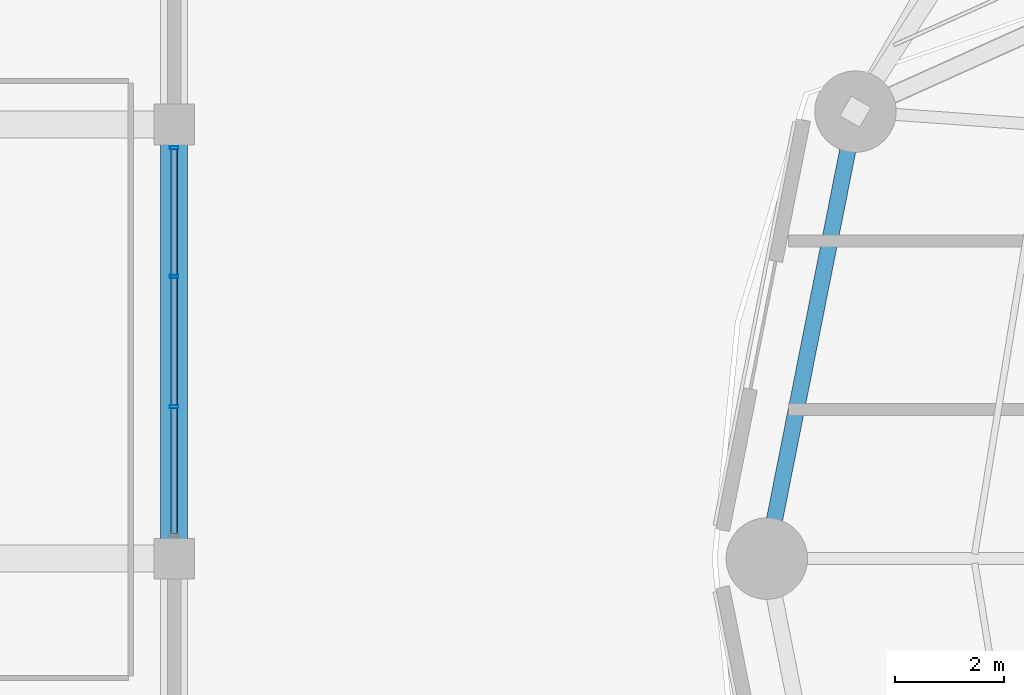
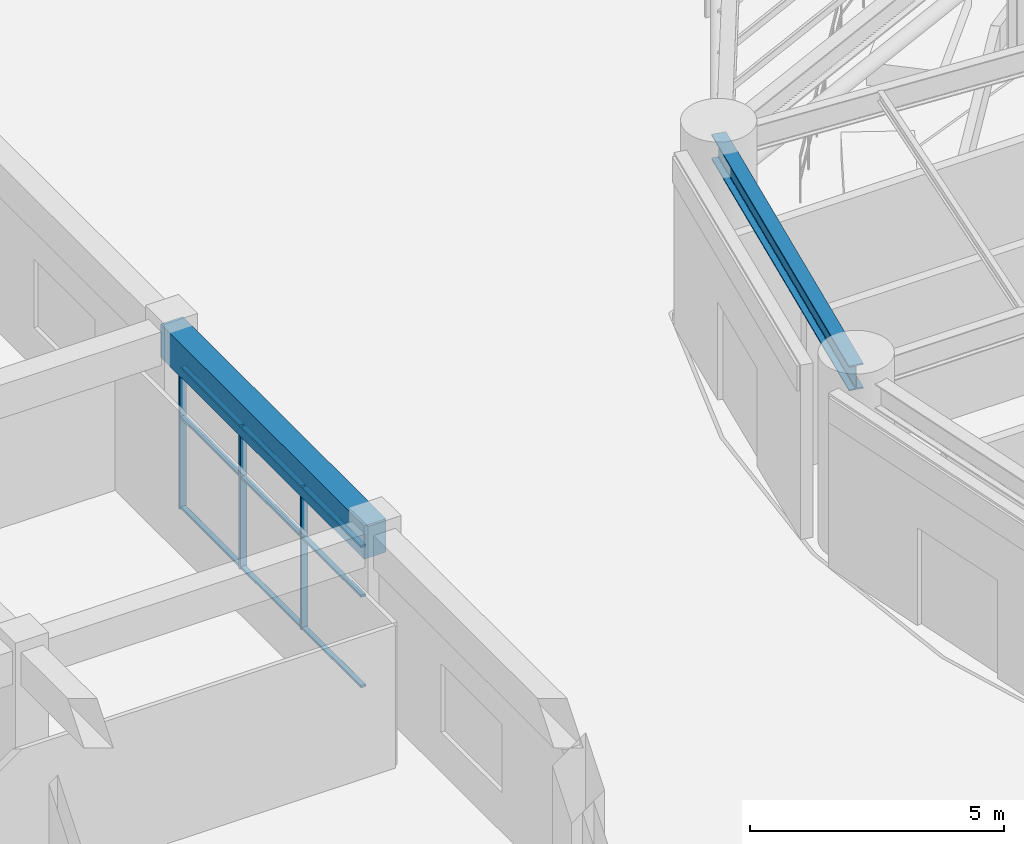
# One storey, part 14 of 40: 12 members, 2 beams, 1 element without a shape of its own.
"""IFC4 building model written with IfcOpenShell, lengths in metres."""

from ifc_helpers import new_model, si_unit, direction, frame, origin, origin_2d, place, context, subcontext, project, spatial, rectangle, hollow_rectangle, i_section, extrude, material, layer, layer_set, material_profile, profile_set, type_object, element, aggregate, save


model = new_model("IFC4")

# Units and contexts
model_context = context("Model", 3, precision=1e-05, world=origin(), true_north=direction((0.0, 1.0)))
body_context = subcontext(model_context, "Body", "Model", "MODEL_VIEW")
ifc_project = project(units=[si_unit("LENGTHUNIT", "METRE"), si_unit("AREAUNIT", "SQUARE_METRE"), si_unit("VOLUMEUNIT", "CUBIC_METRE"), si_unit("PLANEANGLEUNIT", "RADIAN"), si_unit("MASSUNIT", "GRAM", prefix="KILO")], contexts=[model_context])

# Site, building, storey
site_placement = place(None, origin())
site = spatial("IfcSite", under=ifc_project, at=site_placement, CompositionType="ELEMENT")
building_placement = place(site_placement, origin())
building = spatial("IfcBuilding", under=site, at=building_placement, Name="Kelanora Arch Commons", CompositionType="ELEMENT")
storey_placement = place(building_placement, origin())
storey = spatial("IfcBuildingStorey", under=building, at=storey_placement, Name="L00", CompositionType="ELEMENT", Elevation=0.0)

# Beams
ifc_material_1 = material(Name="Concrete C40/50", Category="concrete")
ifc_material_profile_1 = material_profile(ifc_material_1, rectangle(XDim=0.5, YDim=0.800048828125, at=origin_2d()), Name="RCB500x800")
ifc_profile_set_1 = profile_set([ifc_material_profile_1], Name="Concrete C40/50")
beam_type_1 = type_object("IfcBeamType", Name="BM-MKT-RC1", PredefinedType="BEAM", material=ifc_profile_set_1)
beam_1_placement = place(storey_placement, frame((36.0, 58.0, 3.840087890625), z_axis=(0.0, 1.0, 0.0), x_axis=(-1.0, 0.0, 0.0)))
element("IfcBeam", 1, at=beam_1_placement, inside=storey, type_object=beam_type_1, Name="Market/Basement Frame Beam 091 L00", PredefinedType="BEAM", context=body_context, shape_type="SweptSolid", body=[
    extrude(rectangle(XDim=0.5, YDim=0.800048828125, at=origin_2d()), origin(), (0.0, 0.0, 1.0), 8.0),
])
ifc_material_2 = material(Name="Steel S355", Category="steel")
ifc_material_profile_2 = material_profile(ifc_material_2, i_section(OverallWidth=0.300048828125, OverallDepth=0.60009765625, WebThickness=0.015380859375, FlangeThickness=0.030029296875, FilletRadius=0.027099609375, at=origin_2d()), Name="HEB600")
ifc_profile_set_2 = profile_set([ifc_material_profile_2], Name="Steel S355")
beam_type_2 = type_object("IfcBeamType", Name="BM-SPN-Z1", PredefinedType="SPANDREL", material=ifc_profile_set_2)
beam_2_placement = place(storey_placement, frame((48.552978515625, 66.23583984375, 3.89990234375), z_axis=(-0.194499827256, -0.980902552345, 0.0), x_axis=(0.980902552345, -0.194499827256, 0.0)))
element("IfcBeam", 2, at=beam_2_placement, inside=storey, type_object=beam_type_2, Name="Perimeter Spandrel Beam BS-16 L00", PredefinedType="SPANDREL", context=body_context, shape_type="SweptSolid", body=[
    extrude(i_section(OverallWidth=0.300048828125, OverallDepth=0.60009765625, WebThickness=0.015380859375, FlangeThickness=0.030029296875, FilletRadius=0.027099609375, at=origin_2d()), origin(), (0.0, 0.0, 1.0), 8.396240234375),
])

# Curtain wall, members
ifc_material_3 = material(Name="Terracotta ceramic-fritted low-E glass and aluminium", Category="masonry")
ifc_layer = layer(ifc_material_3, 0.16796875)
ifc_layer_set = layer_set([ifc_layer], Name="Terracotta ceramic-fritted low-E glass and aluminium")
curtain_wall_type = type_object("IfcCurtainWallType", Name="CW-SYS-07", PredefinedType="NOTDEFINED", material=ifc_layer_set)
curtain_wall_placement = place(storey_placement, origin())
curtain_wall = element("IfcCurtainWall", 3, at=curtain_wall_placement, inside=storey, type_object=curtain_wall_type, Name="Market Hall Arcade Curtain Wall L00-27", PredefinedType="NOTDEFINED")
ifc_material_4 = material(Name="Powder-coated aluminium terracotta", Category="masonry")
ifc_material_profile_3 = material_profile(ifc_material_4, hollow_rectangle(XDim=0.159912109375, YDim=0.06005859375, WallThickness=0.0048828125, InnerFilletRadius=0.0048828125, OuterFilletRadius=0.010009765625, at=origin_2d()), Name="CWM160x60")
ifc_profile_set_3 = profile_set([ifc_material_profile_3], Name="Powder-coated aluminium terracotta")
member_type_1 = type_object("IfcMemberType", Name="CWM-STD", PredefinedType="MULLION", material=ifc_profile_set_3)
member_1_placement = place(storey_placement, frame((36.0, 60.800048828125, 0.0), z_axis=(0.0, 0.0, 1.0), x_axis=(-1.0, 0.0, 0.0)))
member_1 = element("IfcMember", 4, at=member_1_placement, type_object=member_type_1, Name="CW-07 mullion 2", PredefinedType="MULLION", context=body_context, shape_type="SweptSolid", body=[
    extrude(hollow_rectangle(XDim=0.159912109375, YDim=0.06005859375, WallThickness=0.0048828125, InnerFilletRadius=0.0048828125, OuterFilletRadius=0.010009765625, at=origin_2d()), origin(), (0.0, 0.0, 1.0), 3.419921875),
])
member_2_placement = place(storey_placement, frame((36.0, 63.199951171875, 0.0), z_axis=(0.0, 0.0, 1.0), x_axis=(-1.0, 0.0, 0.0)))
member_2 = element("IfcMember", 5, at=member_2_placement, type_object=member_type_1, Name="CW-07 mullion 3", PredefinedType="MULLION", context=body_context, shape_type="SweptSolid", body=[
    extrude(hollow_rectangle(XDim=0.159912109375, YDim=0.06005859375, WallThickness=0.0048828125, InnerFilletRadius=0.0048828125, OuterFilletRadius=0.010009765625, at=origin_2d()), origin(), (0.0, 0.0, 1.0), 3.419921875),
])
member_3_placement = place(storey_placement, frame((36.0, 65.570068359375, 0.0), z_axis=(0.0, 0.0, 1.0), x_axis=(-1.0, 0.0, 0.0)))
member_3 = element("IfcMember", 6, at=member_3_placement, type_object=member_type_1, Name="CW-07 mullion 4", PredefinedType="MULLION", context=body_context, shape_type="SweptSolid", body=[
    extrude(hollow_rectangle(XDim=0.159912109375, YDim=0.06005859375, WallThickness=0.0048828125, InnerFilletRadius=0.0048828125, OuterFilletRadius=0.010009765625, at=origin_2d()), origin(), (0.0, 0.0, 1.0), 3.419921875),
])
ifc_material_profile_4 = material_profile(ifc_material_4, hollow_rectangle(XDim=0.1201171875, YDim=0.06005859375, WallThickness=0.0048828125, InnerFilletRadius=0.0048828125, OuterFilletRadius=0.010009765625, at=origin_2d()), Name="CWT120x60")
ifc_profile_set_4 = profile_set([ifc_material_profile_4], Name="Powder-coated aluminium terracotta")
member_type_2 = type_object("IfcMemberType", Name="CWT-STD", PredefinedType="USERDEFINED", material=ifc_profile_set_4)
member_4_placement = place(storey_placement, frame((36.0, 58.4599609375, 0.030029296875), z_axis=(0.0, 1.0, 0.0), x_axis=(-1.0, 0.0, 0.0)))
member_4 = element("IfcMember", 7, at=member_4_placement, type_object=member_type_2, Name="CW-07 transom 1.1", ObjectType="TRANSOM", PredefinedType="USERDEFINED", context=body_context, shape_type="SweptSolid", body=[
    extrude(hollow_rectangle(XDim=0.1201171875, YDim=0.06005859375, WallThickness=0.0048828125, InnerFilletRadius=0.0048828125, OuterFilletRadius=0.010009765625, at=origin_2d()), origin(), (0.0, 0.0, 1.0), 2.31005859375),
])
member_5_placement = place(storey_placement, frame((36.0, 58.4599609375, 2.199951171875), z_axis=(0.0, 1.0, 0.0), x_axis=(-1.0, 0.0, 0.0)))
member_5 = element("IfcMember", 8, at=member_5_placement, type_object=member_type_2, Name="CW-07 transom 1.2", ObjectType="TRANSOM", PredefinedType="USERDEFINED", context=body_context, shape_type="SweptSolid", body=[
    extrude(hollow_rectangle(XDim=0.1201171875, YDim=0.06005859375, WallThickness=0.0048828125, InnerFilletRadius=0.0048828125, OuterFilletRadius=0.010009765625, at=origin_2d()), origin(), (0.0, 0.0, 1.0), 2.31005859375),
])
member_6_placement = place(storey_placement, frame((36.0, 58.4599609375, 3.389892578125), z_axis=(0.0, 1.0, 0.0), x_axis=(-1.0, 0.0, 0.0)))
member_6 = element("IfcMember", 9, at=member_6_placement, type_object=member_type_2, Name="CW-07 transom 1.3", ObjectType="TRANSOM", PredefinedType="USERDEFINED", context=body_context, shape_type="SweptSolid", body=[
    extrude(hollow_rectangle(XDim=0.1201171875, YDim=0.06005859375, WallThickness=0.0048828125, InnerFilletRadius=0.0048828125, OuterFilletRadius=0.010009765625, at=origin_2d()), origin(), (0.0, 0.0, 1.0), 2.31005859375),
])
member_7_placement = place(storey_placement, frame((36.0, 60.830078125, 0.030029296875), z_axis=(0.0, 1.0, 0.0), x_axis=(-1.0, 0.0, 0.0)))
member_7 = element("IfcMember", 10, at=member_7_placement, type_object=member_type_2, Name="CW-07 transom 2.1", ObjectType="TRANSOM", PredefinedType="USERDEFINED", context=body_context, shape_type="SweptSolid", body=[
    extrude(hollow_rectangle(XDim=0.1201171875, YDim=0.06005859375, WallThickness=0.0048828125, InnerFilletRadius=0.0048828125, OuterFilletRadius=0.010009765625, at=origin_2d()), origin(), (0.0, 0.0, 1.0), 2.33984375),
])
member_8_placement = place(storey_placement, frame((36.0, 60.830078125, 2.199951171875), z_axis=(0.0, 1.0, 0.0), x_axis=(-1.0, 0.0, 0.0)))
member_8 = element("IfcMember", 11, at=member_8_placement, type_object=member_type_2, Name="CW-07 transom 2.2", ObjectType="TRANSOM", PredefinedType="USERDEFINED", context=body_context, shape_type="SweptSolid", body=[
    extrude(hollow_rectangle(XDim=0.1201171875, YDim=0.06005859375, WallThickness=0.0048828125, InnerFilletRadius=0.0048828125, OuterFilletRadius=0.010009765625, at=origin_2d()), origin(), (0.0, 0.0, 1.0), 2.33984375),
])
member_9_placement = place(storey_placement, frame((36.0, 60.830078125, 3.389892578125), z_axis=(0.0, 1.0, 0.0), x_axis=(-1.0, 0.0, 0.0)))
member_9 = element("IfcMember", 12, at=member_9_placement, type_object=member_type_2, Name="CW-07 transom 2.3", ObjectType="TRANSOM", PredefinedType="USERDEFINED", context=body_context, shape_type="SweptSolid", body=[
    extrude(hollow_rectangle(XDim=0.1201171875, YDim=0.06005859375, WallThickness=0.0048828125, InnerFilletRadius=0.0048828125, OuterFilletRadius=0.010009765625, at=origin_2d()), origin(), (0.0, 0.0, 1.0), 2.33984375),
])
member_10_placement = place(storey_placement, frame((36.0, 63.22998046875, 0.030029296875), z_axis=(0.0, 1.0, 0.0), x_axis=(-1.0, 0.0, 0.0)))
member_10 = element("IfcMember", 13, at=member_10_placement, type_object=member_type_2, Name="CW-07 transom 3.1", ObjectType="TRANSOM", PredefinedType="USERDEFINED", context=body_context, shape_type="SweptSolid", body=[
    extrude(hollow_rectangle(XDim=0.1201171875, YDim=0.06005859375, WallThickness=0.0048828125, InnerFilletRadius=0.0048828125, OuterFilletRadius=0.010009765625, at=origin_2d()), origin(), (0.0, 0.0, 1.0), 2.31005859375),
])
member_11_placement = place(storey_placement, frame((36.0, 63.22998046875, 2.199951171875), z_axis=(0.0, 1.0, 0.0), x_axis=(-1.0, 0.0, 0.0)))
member_11 = element("IfcMember", 14, at=member_11_placement, type_object=member_type_2, Name="CW-07 transom 3.2", ObjectType="TRANSOM", PredefinedType="USERDEFINED", context=body_context, shape_type="SweptSolid", body=[
    extrude(hollow_rectangle(XDim=0.1201171875, YDim=0.06005859375, WallThickness=0.0048828125, InnerFilletRadius=0.0048828125, OuterFilletRadius=0.010009765625, at=origin_2d()), origin(), (0.0, 0.0, 1.0), 2.31005859375),
])
member_12_placement = place(storey_placement, frame((36.0, 63.22998046875, 3.389892578125), z_axis=(0.0, 1.0, 0.0), x_axis=(-1.0, 0.0, 0.0)))
member_12 = element("IfcMember", 15, at=member_12_placement, type_object=member_type_2, Name="CW-07 transom 3.3", ObjectType="TRANSOM", PredefinedType="USERDEFINED", context=body_context, shape_type="SweptSolid", body=[
    extrude(hollow_rectangle(XDim=0.1201171875, YDim=0.06005859375, WallThickness=0.0048828125, InnerFilletRadius=0.0048828125, OuterFilletRadius=0.010009765625, at=origin_2d()), origin(), (0.0, 0.0, 1.0), 2.31005859375),
])
aggregate(curtain_wall, [member_1, member_2, member_3, member_4, member_5, member_6, member_7, member_8, member_9, member_10, member_11, member_12])

save(model, "model.ifc")
